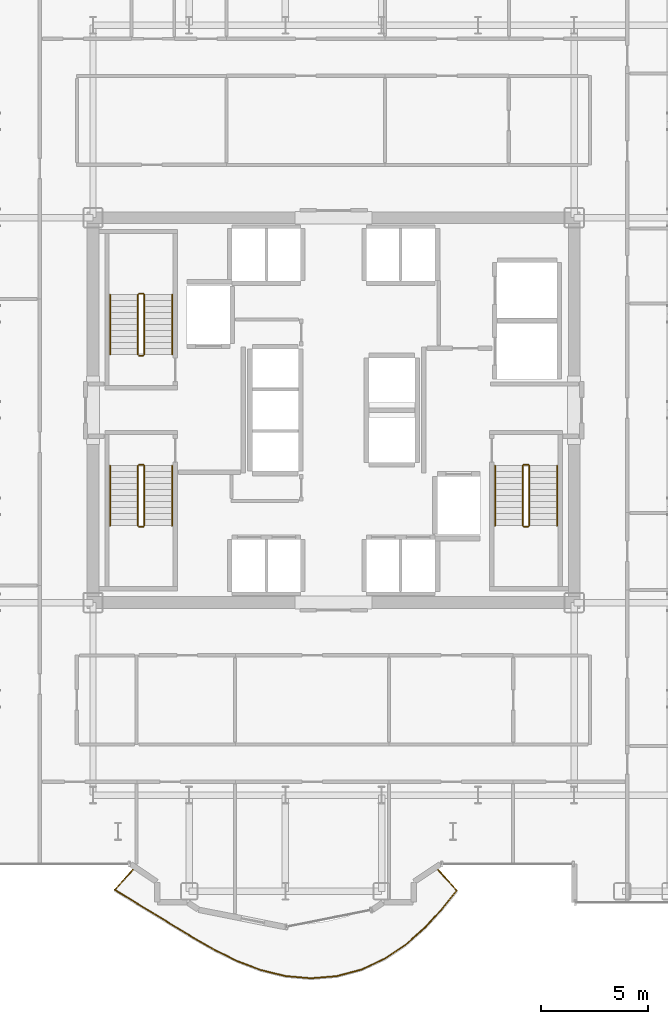
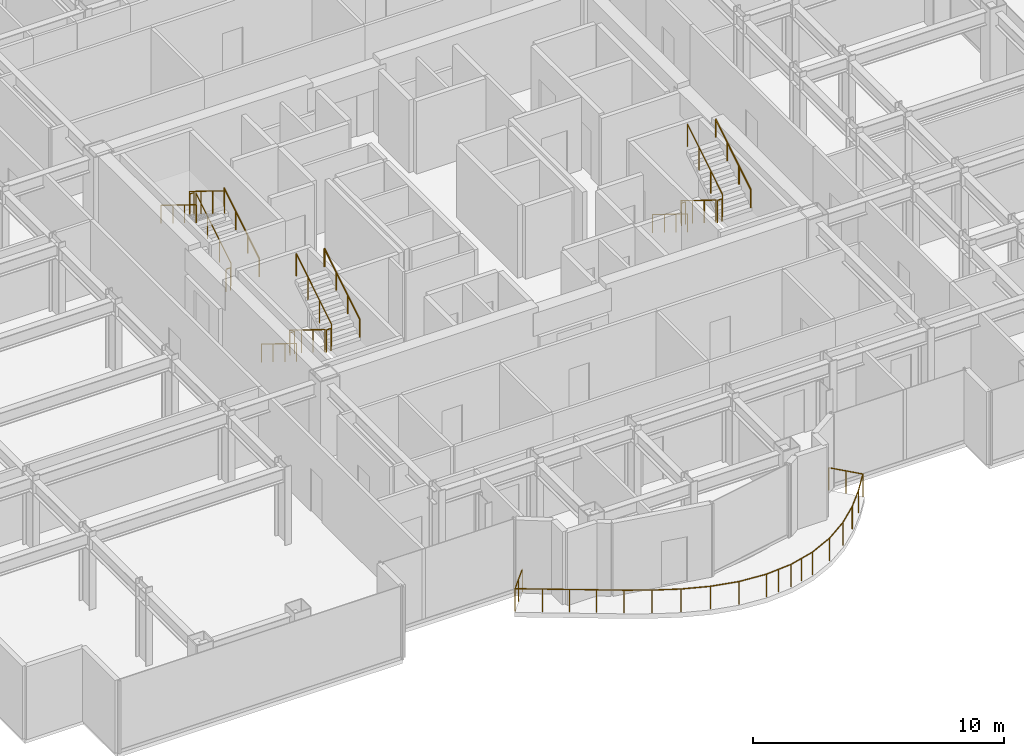
# One storey, part 26 of 27: 19 railings.
"""IFC4 building model written with IfcOpenShell, lengths in metres."""

from ifc_helpers import new_model, si_unit, direction, frame, origin, origin_2d, place, context, subcontext, project, spatial, circle, extrude, material, type_object, element, save


model = new_model("IFC4")

# Units and contexts
model_context = context("Model", 3, precision=1e-05, world=origin(), true_north=direction((0.0, 1.0)))
body_context = subcontext(model_context, "Body", "Model", "MODEL_VIEW")
ifc_project = project(units=[si_unit("LENGTHUNIT", "METRE"), si_unit("AREAUNIT", "SQUARE_METRE"), si_unit("VOLUMEUNIT", "CUBIC_METRE"), si_unit("PLANEANGLEUNIT", "RADIAN"), si_unit("MASSUNIT", "GRAM", prefix="KILO")], contexts=[model_context])

# Site, building, storey
site_placement = place(None, origin())
site = spatial("IfcSite", under=ifc_project, at=site_placement, CompositionType="ELEMENT")
building_placement = place(site_placement, origin())
building = spatial("IfcBuilding", under=site, at=building_placement, Name="Nefas-Gora Pilgrimage Tower", CompositionType="ELEMENT")
storey_placement = place(building_placement, frame((0.0, 0.0, 148.800048828125)))
storey = spatial("IfcBuildingStorey", under=building, at=storey_placement, Name="L36", CompositionType="ELEMENT", Elevation=148.800048828125)

# Railings
ifc_material_1 = material(Name="Laminated safety glass and stainless steel", Category="steel")
railing_type_1 = type_object("IfcRailingType", Name="RLG-BAL-1100", PredefinedType="BALUSTRADE", material=ifc_material_1)
railing_1_placement = place(storey_placement, frame((-9.302490234375, -21.402587890625, 0.0)))
element("IfcRailing", 1, at=railing_1_placement, inside=storey, type_object=railing_type_1, Name="L36 Wave Balcony Balustrade S2", PredefinedType="BALUSTRADE", context=body_context, shape_type="SweptSolid", body=[
    extrude(circle(Radius=0.02392578125, at=origin_2d()), frame((0.0, 0.0, 1.09619140625), z_axis=(-0.669217868333, -0.743066245165, 0.0), x_axis=(0.743066245165, -0.669217868333, 0.0)), (0.0, 0.0, 1.0), 1.38525390625),
    extrude(circle(Radius=0.02392578125, at=origin_2d()), frame((-0.927001953125, -1.029296875, 1.09619140625), z_axis=(0.852658885571, -0.522468013238, 0.0), x_axis=(0.522468013238, 0.852658885571, 0.0)), (0.0, 0.0, 1.0), 1.095703125),
    extrude(circle(Radius=0.02392578125, at=origin_2d()), frame((0.00732421875, -1.601806640625, 1.09619140625), z_axis=(0.855124780813, -0.518422230657, 0.0), x_axis=(0.518422230657, 0.855124780813, 0.0)), (0.0, 0.0, 1.0), 1.077392578125),
    extrude(circle(Radius=0.02392578125, at=origin_2d()), frame((0.9287109375, -2.160400390625, 1.09619140625), z_axis=(0.852777131159, -0.522274989418, 0.0), x_axis=(0.522274989418, 0.852777131159, 0.0)), (0.0, 0.0, 1.0), 1.076904296875),
    extrude(circle(Radius=0.02392578125, at=origin_2d()), frame((1.84716796875, -2.722900390625, 1.09619140625), z_axis=(0.854684994475, -0.519146954358, 0.0), x_axis=(0.519146954358, 0.854684994475, 0.0)), (0.0, 0.0, 1.0), 1.09423828125),
    extrude(circle(Radius=0.02392578125, at=origin_2d()), frame((2.782470703125, -3.291015625, 1.09619140625), z_axis=(0.868857666147, -0.495061971856, 0.0), x_axis=(0.495061971856, 0.868857666147, 0.0)), (0.0, 0.0, 1.0), 1.123291015625),
    extrude(circle(Radius=0.02392578125, at=origin_2d()), frame((3.758544921875, -3.84716796875, 1.09619140625), z_axis=(0.896659173932, -0.442721499142, 0.0), x_axis=(0.442721499142, 0.896659173932, 0.0)), (0.0, 0.0, 1.0), 1.153564453125),
    extrude(circle(Radius=0.02392578125, at=origin_2d()), frame((4.79296875, -4.35791015625, 1.09619140625), z_axis=(0.934122957215, -0.356951398377, 0.0), x_axis=(0.356951398377, 0.934122957215, 0.0)), (0.0, 0.0, 1.0), 1.178466796875),
    extrude(circle(Radius=0.02392578125, at=origin_2d()), frame((5.893798828125, -4.778564453125, 1.09619140625), z_axis=(0.97145249085, -0.237234183922, 0.0), x_axis=(0.237234183922, 0.97145249085, 0.0)), (0.0, 0.0, 1.0), 1.192626953125),
    extrude(circle(Radius=0.02392578125, at=origin_2d()), frame((7.052490234375, -5.0615234375, 1.09619140625), z_axis=(0.99619460159, -0.087156845765, 0.0), x_axis=(0.087156845765, 0.99619460159, 0.0)), (0.0, 0.0, 1.0), 1.198974609375),
    extrude(circle(Radius=0.02392578125, at=origin_2d()), frame((8.246826171875, -5.166015625, 1.09619140625), z_axis=(0.996586307441, 0.082557445587, 0.0), x_axis=(-0.082557445587, 0.996586307441, 0.0)), (0.0, 0.0, 1.0), 1.20068359375),
    extrude(circle(Radius=0.02392578125, at=origin_2d()), frame((9.443359375, -5.06689453125, 1.09619140625), z_axis=(0.966180913081, 0.257865164763, 0.0), x_axis=(-0.257865164763, 0.966180913081, 0.0)), (0.0, 0.0, 1.0), 1.200439453125),
    extrude(circle(Radius=0.02392578125, at=origin_2d()), frame((10.603271484375, -4.75732421875, 1.09619140625), z_axis=(0.907111664378, 0.420890043063, 0.0), x_axis=(-0.420890043063, 0.907111664378, 0.0)), (0.0, 0.0, 1.0), 1.199462890625),
    extrude(circle(Radius=0.02392578125, at=origin_2d()), frame((11.69140625, -4.25244140625, 1.09619140625), z_axis=(0.829780590571, 0.558089752201, 0.0), x_axis=(-0.558089752201, 0.829780590571, 0.0)), (0.0, 0.0, 1.0), 1.195068359375),
    extrude(circle(Radius=0.02392578125, at=origin_2d()), frame((12.68310546875, -3.58544921875, 1.09619140625), z_axis=(0.748330645695, 0.663325896308, 0.0), x_axis=(-0.663325896308, 0.748330645695, 0.0)), (0.0, 0.0, 1.0), 1.183349609375),
    extrude(circle(Radius=0.02392578125, at=origin_2d()), frame((13.568603515625, -2.800537109375, 1.09619140625), z_axis=(0.676400344051, 0.736534163883, 0.0), x_axis=(-0.736534163883, 0.676400344051, 0.0)), (0.0, 0.0, 1.0), 1.1611328125),
    extrude(circle(Radius=0.02392578125, at=origin_2d()), frame((14.35400390625, -1.9453125, 1.09619140625), z_axis=(0.624326656169, 0.781163380092, 0.0), x_axis=(-0.781163380092, 0.624326656169, 0.0)), (0.0, 0.0, 1.0), 1.131591796875),
    extrude(circle(Radius=0.02392578125, at=origin_2d()), frame((15.060546875, -1.061279296875, 1.09619140625), z_axis=(-0.669125283262, 0.743149618381, 0.0), x_axis=(-0.743149618381, -0.669125283262, 0.0)), (0.0, 0.0, 1.0), 1.427978515625),
    extrude(circle(Radius=0.02099609375, at=origin_2d()), origin(), (0.0, 0.0, 1.0), 1.072021484375),
    extrude(circle(Radius=0.02099609375, at=origin_2d()), frame((-0.46337890625, -0.5146484375, 0.0)), (0.0, 0.0, 1.0), 1.072021484375),
    extrude(circle(Radius=0.02099609375, at=origin_2d()), frame((-0.927001953125, -1.029296875, 0.0)), (0.0, 0.0, 1.0), 1.072021484375),
    extrude(circle(Radius=0.02099609375, at=origin_2d()), frame((0.00732421875, -1.601806640625, 0.0)), (0.0, 0.0, 1.0), 1.072021484375),
    extrude(circle(Radius=0.02099609375, at=origin_2d()), frame((0.9287109375, -2.160400390625, 0.0)), (0.0, 0.0, 1.0), 1.072021484375),
    extrude(circle(Radius=0.02099609375, at=origin_2d()), frame((1.84716796875, -2.722900390625, 0.0)), (0.0, 0.0, 1.0), 1.072021484375),
    extrude(circle(Radius=0.02099609375, at=origin_2d()), frame((2.782470703125, -3.291015625, 0.0)), (0.0, 0.0, 1.0), 1.072021484375),
    extrude(circle(Radius=0.02099609375, at=origin_2d()), frame((3.758544921875, -3.84716796875, 0.0)), (0.0, 0.0, 1.0), 1.072021484375),
    extrude(circle(Radius=0.02099609375, at=origin_2d()), frame((4.79296875, -4.35791015625, 0.0)), (0.0, 0.0, 1.0), 1.072021484375),
    extrude(circle(Radius=0.02099609375, at=origin_2d()), frame((5.893798828125, -4.778564453125, 0.0)), (0.0, 0.0, 1.0), 1.072021484375),
    extrude(circle(Radius=0.02099609375, at=origin_2d()), frame((7.052490234375, -5.0615234375, 0.0)), (0.0, 0.0, 1.0), 1.072021484375),
    extrude(circle(Radius=0.02099609375, at=origin_2d()), frame((8.246826171875, -5.166015625, 0.0)), (0.0, 0.0, 1.0), 1.072021484375),
    extrude(circle(Radius=0.02099609375, at=origin_2d()), frame((8.84521484375, -5.116455078125, 0.0)), (0.0, 0.0, 1.0), 1.072021484375),
    extrude(circle(Radius=0.02099609375, at=origin_2d()), frame((9.443359375, -5.06689453125, 0.0)), (0.0, 0.0, 1.0), 1.072021484375),
    extrude(circle(Radius=0.02099609375, at=origin_2d()), frame((10.0234375, -4.912109375, 0.0)), (0.0, 0.0, 1.0), 1.072021484375),
    extrude(circle(Radius=0.02099609375, at=origin_2d()), frame((10.603271484375, -4.75732421875, 0.0)), (0.0, 0.0, 1.0), 1.072021484375),
    extrude(circle(Radius=0.02099609375, at=origin_2d()), frame((11.69140625, -4.25244140625, 0.0)), (0.0, 0.0, 1.0), 1.072021484375),
    extrude(circle(Radius=0.02099609375, at=origin_2d()), frame((12.68310546875, -3.58544921875, 0.0)), (0.0, 0.0, 1.0), 1.072021484375),
    extrude(circle(Radius=0.02099609375, at=origin_2d()), frame((13.568603515625, -2.800537109375, 0.0)), (0.0, 0.0, 1.0), 1.072021484375),
    extrude(circle(Radius=0.02099609375, at=origin_2d()), frame((14.35400390625, -1.9453125, 0.0)), (0.0, 0.0, 1.0), 1.072021484375),
    extrude(circle(Radius=0.02099609375, at=origin_2d()), frame((15.060546875, -1.061279296875, 0.0)), (0.0, 0.0, 1.0), 1.072021484375),
    extrude(circle(Radius=0.02099609375, at=origin_2d()), frame((14.582763671875, -0.53076171875, 0.0)), (0.0, 0.0, 1.0), 1.072021484375),
    extrude(circle(Radius=0.02099609375, at=origin_2d()), frame((14.10498046875, 0.0, 0.0)), (0.0, 0.0, 1.0), 1.072021484375),
])
ifc_material_2 = material(Name="Painted galvanised steel", Category="steel")
railing_type_2 = type_object("IfcRailingType", Name="RLG-STR-GUARD-1100", PredefinedType="GUARDRAIL", material=ifc_material_2)
railing_2_placement = place(storey_placement, frame((-8.85009765625, 2.60009765625, 0.172607421875)))
element("IfcRailing", 2, at=railing_2_placement, inside=storey, type_object=railing_type_2, Name="L36 ST-01 stair guard 1", PredefinedType="GUARDRAIL", context=body_context, shape_type="SweptSolid", body=[
    extrude(circle(Radius=0.02392578125, at=origin_2d()), frame((0.0, 0.0, 1.09619140625), z_axis=(0.0, 0.851069175582, 0.525053576669), x_axis=(-1.0, 0.0, 0.0)), (0.0, 0.0, 1.0), 3.289794921875),
    extrude(circle(Radius=0.02099609375, at=origin_2d()), origin(), (0.0, 0.0, 1.0), 1.072021484375),
    extrude(circle(Radius=0.02099609375, at=origin_2d()), frame((0.0, 0.933349609375, 0.57568359375)), (0.0, 0.0, 1.0), 1.072021484375),
    extrude(circle(Radius=0.02099609375, at=origin_2d()), frame((0.0, 1.866455078125, 1.151611328125)), (0.0, 0.0, 1.0), 1.072021484375),
    extrude(circle(Radius=0.02099609375, at=origin_2d()), frame((0.0, 2.7998046875, 1.727294921875)), (0.0, 0.0, 1.0), 1.072021484375),
])
railing_3_placement = place(storey_placement, frame((-8.89990234375, 5.449951171875, 1.89990234375)))
element("IfcRailing", 3, at=railing_3_placement, inside=storey, type_object=railing_type_2, Name="L36 ST-01 stair guard 2", PredefinedType="GUARDRAIL", context=body_context, shape_type="SweptSolid", body=[
    extrude(circle(Radius=0.02392578125, at=origin_2d()), frame((0.0, 0.0, 1.09619140625), z_axis=(-1.0, 0.0, 0.0), x_axis=(0.0, -1.0, 0.0)), (0.0, 0.0, 1.0), 0.2001953125),
    extrude(circle(Radius=0.02099609375, at=origin_2d()), origin(), (0.0, 0.0, 1.0), 1.072021484375),
    extrude(circle(Radius=0.02099609375, at=origin_2d()), frame((-0.2001953125, 0.0, 0.0)), (0.0, 0.0, 1.0), 1.072021484375),
])
railing_4_placement = place(storey_placement, frame((-9.14990234375, 5.39990234375, 2.07275390625)))
element("IfcRailing", 4, at=railing_4_placement, inside=storey, type_object=railing_type_2, Name="L36 ST-01 stair guard 3", PredefinedType="GUARDRAIL", context=body_context, shape_type="SweptSolid", body=[
    extrude(circle(Radius=0.02392578125, at=origin_2d()), frame((0.0, 0.0, 1.09619140625), z_axis=(0.0, -0.851069175582, 0.525053576669), x_axis=(1.0, 0.0, 0.0)), (0.0, 0.0, 1.0), 3.289794921875),
    extrude(circle(Radius=0.02099609375, at=origin_2d()), origin(), (0.0, 0.0, 1.0), 1.072021484375),
    extrude(circle(Radius=0.02099609375, at=origin_2d()), frame((0.0, -0.933349609375, 0.57568359375)), (0.0, 0.0, 1.0), 1.072021484375),
    extrude(circle(Radius=0.02099609375, at=origin_2d()), frame((0.0, -1.866455078125, 1.151611328125)), (0.0, 0.0, 1.0), 1.072021484375),
    extrude(circle(Radius=0.02099609375, at=origin_2d()), frame((0.0, -2.7998046875, 1.727294921875)), (0.0, 0.0, 1.0), 1.072021484375),
])
railing_5_placement = place(storey_placement, frame((-8.89990234375, 2.550048828125, 0.0)))
element("IfcRailing", 5, at=railing_5_placement, inside=storey, type_object=railing_type_2, Name="L36 ST-01 stair guard 4", PredefinedType="GUARDRAIL", context=body_context, shape_type="SweptSolid", body=[
    extrude(circle(Radius=0.02392578125, at=origin_2d()), frame((0.0, 0.0, 1.09619140625), z_axis=(-1.0, 0.0, 0.0), x_axis=(0.0, -1.0, 0.0)), (0.0, 0.0, 1.0), 0.2001953125),
    extrude(circle(Radius=0.02099609375, at=origin_2d()), origin(), (0.0, 0.0, 1.0), 1.072021484375),
    extrude(circle(Radius=0.02099609375, at=origin_2d()), frame((-0.2001953125, 0.0, 0.0)), (0.0, 0.0, 1.0), 1.072021484375),
])
railing_6_placement = place(storey_placement, frame((8.85009765625, -2.60009765625, 0.172607421875)))
element("IfcRailing", 6, at=railing_6_placement, inside=storey, type_object=railing_type_2, Name="L36 ST-02 stair guard 1", PredefinedType="GUARDRAIL", context=body_context, shape_type="SweptSolid", body=[
    extrude(circle(Radius=0.02392578125, at=origin_2d()), frame((0.0, 0.0, 1.09619140625), z_axis=(0.0, -0.851069175582, 0.525053576669), x_axis=(1.0, 0.0, 0.0)), (0.0, 0.0, 1.0), 3.289794921875),
    extrude(circle(Radius=0.02099609375, at=origin_2d()), origin(), (0.0, 0.0, 1.0), 1.072021484375),
    extrude(circle(Radius=0.02099609375, at=origin_2d()), frame((0.0, -0.933349609375, 0.57568359375)), (0.0, 0.0, 1.0), 1.072021484375),
    extrude(circle(Radius=0.02099609375, at=origin_2d()), frame((0.0, -1.866455078125, 1.151611328125)), (0.0, 0.0, 1.0), 1.072021484375),
    extrude(circle(Radius=0.02099609375, at=origin_2d()), frame((0.0, -2.7998046875, 1.727294921875)), (0.0, 0.0, 1.0), 1.072021484375),
])
railing_7_placement = place(storey_placement, frame((8.89990234375, -5.449951171875, 1.89990234375)))
element("IfcRailing", 7, at=railing_7_placement, inside=storey, type_object=railing_type_2, Name="L36 ST-02 stair guard 2", PredefinedType="GUARDRAIL", context=body_context, shape_type="SweptSolid", body=[
    extrude(circle(Radius=0.02392578125, at=origin_2d()), frame((0.0, 0.0, 1.09619140625), z_axis=(1.0, 0.0, 0.0), x_axis=(0.0, 1.0, 0.0)), (0.0, 0.0, 1.0), 0.2001953125),
    extrude(circle(Radius=0.02099609375, at=origin_2d()), origin(), (0.0, 0.0, 1.0), 1.072021484375),
    extrude(circle(Radius=0.02099609375, at=origin_2d()), frame((0.2001953125, 0.0, 0.0)), (0.0, 0.0, 1.0), 1.072021484375),
])
railing_8_placement = place(storey_placement, frame((9.14990234375, -5.39990234375, 2.07275390625)))
element("IfcRailing", 8, at=railing_8_placement, inside=storey, type_object=railing_type_2, Name="L36 ST-02 stair guard 3", PredefinedType="GUARDRAIL", context=body_context, shape_type="SweptSolid", body=[
    extrude(circle(Radius=0.02392578125, at=origin_2d()), frame((0.0, 0.0, 1.09619140625), z_axis=(0.0, 0.851069175582, 0.525053576669), x_axis=(-1.0, 0.0, 0.0)), (0.0, 0.0, 1.0), 3.289794921875),
    extrude(circle(Radius=0.02099609375, at=origin_2d()), origin(), (0.0, 0.0, 1.0), 1.072021484375),
    extrude(circle(Radius=0.02099609375, at=origin_2d()), frame((0.0, 0.933349609375, 0.57568359375)), (0.0, 0.0, 1.0), 1.072021484375),
    extrude(circle(Radius=0.02099609375, at=origin_2d()), frame((0.0, 1.866455078125, 1.151611328125)), (0.0, 0.0, 1.0), 1.072021484375),
    extrude(circle(Radius=0.02099609375, at=origin_2d()), frame((0.0, 2.7998046875, 1.727294921875)), (0.0, 0.0, 1.0), 1.072021484375),
])
railing_9_placement = place(storey_placement, frame((8.89990234375, -2.550048828125, 0.0)))
element("IfcRailing", 9, at=railing_9_placement, inside=storey, type_object=railing_type_2, Name="L36 ST-02 stair guard 4", PredefinedType="GUARDRAIL", context=body_context, shape_type="SweptSolid", body=[
    extrude(circle(Radius=0.02392578125, at=origin_2d()), frame((0.0, 0.0, 1.09619140625), z_axis=(1.0, 0.0, 0.0), x_axis=(0.0, 1.0, 0.0)), (0.0, 0.0, 1.0), 0.2001953125),
    extrude(circle(Radius=0.02099609375, at=origin_2d()), origin(), (0.0, 0.0, 1.0), 1.072021484375),
    extrude(circle(Radius=0.02099609375, at=origin_2d()), frame((0.2001953125, 0.0, 0.0)), (0.0, 0.0, 1.0), 1.072021484375),
])
railing_10_placement = place(storey_placement, frame((-9.14990234375, -2.60009765625, 0.172607421875)))
element("IfcRailing", 10, at=railing_10_placement, inside=storey, type_object=railing_type_2, Name="L36 ST-03 stair guard 1", PredefinedType="GUARDRAIL", context=body_context, shape_type="SweptSolid", body=[
    extrude(circle(Radius=0.02392578125, at=origin_2d()), frame((0.0, 0.0, 1.09619140625), z_axis=(0.0, -0.851069175582, 0.525053576669), x_axis=(1.0, 0.0, 0.0)), (0.0, 0.0, 1.0), 3.289794921875),
    extrude(circle(Radius=0.02099609375, at=origin_2d()), origin(), (0.0, 0.0, 1.0), 1.072021484375),
    extrude(circle(Radius=0.02099609375, at=origin_2d()), frame((0.0, -0.933349609375, 0.57568359375)), (0.0, 0.0, 1.0), 1.072021484375),
    extrude(circle(Radius=0.02099609375, at=origin_2d()), frame((0.0, -1.866455078125, 1.151611328125)), (0.0, 0.0, 1.0), 1.072021484375),
    extrude(circle(Radius=0.02099609375, at=origin_2d()), frame((0.0, -2.7998046875, 1.727294921875)), (0.0, 0.0, 1.0), 1.072021484375),
])
railing_11_placement = place(storey_placement, frame((-9.10009765625, -5.449951171875, 1.89990234375)))
element("IfcRailing", 11, at=railing_11_placement, inside=storey, type_object=railing_type_2, Name="L36 ST-03 stair guard 2", PredefinedType="GUARDRAIL", context=body_context, shape_type="SweptSolid", body=[
    extrude(circle(Radius=0.02392578125, at=origin_2d()), frame((0.0, 0.0, 1.09619140625), z_axis=(1.0, 0.0, 0.0), x_axis=(0.0, 1.0, 0.0)), (0.0, 0.0, 1.0), 0.2001953125),
    extrude(circle(Radius=0.02099609375, at=origin_2d()), origin(), (0.0, 0.0, 1.0), 1.072021484375),
    extrude(circle(Radius=0.02099609375, at=origin_2d()), frame((0.2001953125, 0.0, 0.0)), (0.0, 0.0, 1.0), 1.072021484375),
])
railing_12_placement = place(storey_placement, frame((-8.85009765625, -5.39990234375, 2.07275390625)))
element("IfcRailing", 12, at=railing_12_placement, inside=storey, type_object=railing_type_2, Name="L36 ST-03 stair guard 3", PredefinedType="GUARDRAIL", context=body_context, shape_type="SweptSolid", body=[
    extrude(circle(Radius=0.02392578125, at=origin_2d()), frame((0.0, 0.0, 1.09619140625), z_axis=(0.0, 0.851069175582, 0.525053576669), x_axis=(-1.0, 0.0, 0.0)), (0.0, 0.0, 1.0), 3.289794921875),
    extrude(circle(Radius=0.02099609375, at=origin_2d()), origin(), (0.0, 0.0, 1.0), 1.072021484375),
    extrude(circle(Radius=0.02099609375, at=origin_2d()), frame((0.0, 0.933349609375, 0.57568359375)), (0.0, 0.0, 1.0), 1.072021484375),
    extrude(circle(Radius=0.02099609375, at=origin_2d()), frame((0.0, 1.866455078125, 1.151611328125)), (0.0, 0.0, 1.0), 1.072021484375),
    extrude(circle(Radius=0.02099609375, at=origin_2d()), frame((0.0, 2.7998046875, 1.727294921875)), (0.0, 0.0, 1.0), 1.072021484375),
])
railing_13_placement = place(storey_placement, frame((-9.10009765625, -2.550048828125, 0.0)))
element("IfcRailing", 13, at=railing_13_placement, inside=storey, type_object=railing_type_2, Name="L36 ST-03 stair guard 4", PredefinedType="GUARDRAIL", context=body_context, shape_type="SweptSolid", body=[
    extrude(circle(Radius=0.02392578125, at=origin_2d()), frame((0.0, 0.0, 1.09619140625), z_axis=(1.0, 0.0, 0.0), x_axis=(0.0, 1.0, 0.0)), (0.0, 0.0, 1.0), 0.2001953125),
    extrude(circle(Radius=0.02099609375, at=origin_2d()), origin(), (0.0, 0.0, 1.0), 1.072021484375),
    extrude(circle(Radius=0.02099609375, at=origin_2d()), frame((0.2001953125, 0.0, 0.0)), (0.0, 0.0, 1.0), 1.072021484375),
])
ifc_material_3 = material(Name="Brushed stainless steel", Category="steel")
railing_type_3 = type_object("IfcRailingType", Name="RLG-STR-HAND-900", PredefinedType="HANDRAIL", material=ifc_material_3)
railing_14_placement = place(storey_placement, frame((-7.550048828125, 2.60009765625, 0.172607421875)))
element("IfcRailing", 14, at=railing_14_placement, inside=storey, type_object=railing_type_3, Name="L36 ST-01 stair handrail 1", PredefinedType="HANDRAIL", context=body_context, shape_type="SweptSolid", body=[
    extrude(circle(Radius=0.02392578125, at=origin_2d()), frame((0.0, 0.0, 0.8759765625), z_axis=(0.0, 0.851069175582, 0.525053576669), x_axis=(-1.0, 0.0, 0.0)), (0.0, 0.0, 1.0), 3.289794921875),
    extrude(circle(Radius=0.02099609375, at=origin_2d()), origin(), (0.0, 0.0, 1.0), 0.851806640625),
    extrude(circle(Radius=0.02099609375, at=origin_2d()), frame((0.0, 0.933349609375, 0.57568359375)), (0.0, 0.0, 1.0), 0.851806640625),
    extrude(circle(Radius=0.02099609375, at=origin_2d()), frame((0.0, 1.866455078125, 1.151611328125)), (0.0, 0.0, 1.0), 0.851806640625),
    extrude(circle(Radius=0.02099609375, at=origin_2d()), frame((0.0, 2.7998046875, 1.727294921875)), (0.0, 0.0, 1.0), 0.851806640625),
])
for number, where, name in (
    (15, (-10.449951171875, 5.39990234375, 2.07275390625), "L36 ST-01 stair handrail 2"),
    (16, (7.550048828125, -2.60009765625, 0.172607421875), "L36 ST-02 stair handrail 1"),
):
    element("IfcRailing", number, at=place(storey_placement, frame(where)), inside=storey, type_object=railing_type_3, Name=name, PredefinedType="HANDRAIL", context=body_context, shape_type="SweptSolid", body=[
        extrude(circle(Radius=0.02392578125, at=origin_2d()), frame((0.0, 0.0, 0.8759765625), z_axis=(0.0, -0.851069175582, 0.525053576669), x_axis=(1.0, 0.0, 0.0)), (0.0, 0.0, 1.0), 3.289794921875),
        extrude(circle(Radius=0.02099609375, at=origin_2d()), origin(), (0.0, 0.0, 1.0), 0.851806640625),
        extrude(circle(Radius=0.02099609375, at=origin_2d()), frame((0.0, -0.933349609375, 0.57568359375)), (0.0, 0.0, 1.0), 0.851806640625),
        extrude(circle(Radius=0.02099609375, at=origin_2d()), frame((0.0, -1.866455078125, 1.151611328125)), (0.0, 0.0, 1.0), 0.851806640625),
        extrude(circle(Radius=0.02099609375, at=origin_2d()), frame((0.0, -2.7998046875, 1.727294921875)), (0.0, 0.0, 1.0), 0.851806640625),
    ])
railing_15_placement = place(storey_placement, frame((10.449951171875, -5.39990234375, 2.07275390625)))
element("IfcRailing", 17, at=railing_15_placement, inside=storey, type_object=railing_type_3, Name="L36 ST-02 stair handrail 2", PredefinedType="HANDRAIL", context=body_context, shape_type="SweptSolid", body=[
    extrude(circle(Radius=0.02392578125, at=origin_2d()), frame((0.0, 0.0, 0.8759765625), z_axis=(0.0, 0.851069175582, 0.525053576669), x_axis=(-1.0, 0.0, 0.0)), (0.0, 0.0, 1.0), 3.289794921875),
    extrude(circle(Radius=0.02099609375, at=origin_2d()), origin(), (0.0, 0.0, 1.0), 0.851806640625),
    extrude(circle(Radius=0.02099609375, at=origin_2d()), frame((0.0, 0.933349609375, 0.57568359375)), (0.0, 0.0, 1.0), 0.851806640625),
    extrude(circle(Radius=0.02099609375, at=origin_2d()), frame((0.0, 1.866455078125, 1.151611328125)), (0.0, 0.0, 1.0), 0.851806640625),
    extrude(circle(Radius=0.02099609375, at=origin_2d()), frame((0.0, 2.7998046875, 1.727294921875)), (0.0, 0.0, 1.0), 0.851806640625),
])
railing_16_placement = place(storey_placement, frame((-10.449951171875, -2.60009765625, 0.172607421875)))
element("IfcRailing", 18, at=railing_16_placement, inside=storey, type_object=railing_type_3, Name="L36 ST-03 stair handrail 1", PredefinedType="HANDRAIL", context=body_context, shape_type="SweptSolid", body=[
    extrude(circle(Radius=0.02392578125, at=origin_2d()), frame((0.0, 0.0, 0.8759765625), z_axis=(0.0, -0.851069175582, 0.525053576669), x_axis=(1.0, 0.0, 0.0)), (0.0, 0.0, 1.0), 3.289794921875),
    extrude(circle(Radius=0.02099609375, at=origin_2d()), origin(), (0.0, 0.0, 1.0), 0.851806640625),
    extrude(circle(Radius=0.02099609375, at=origin_2d()), frame((0.0, -0.933349609375, 0.57568359375)), (0.0, 0.0, 1.0), 0.851806640625),
    extrude(circle(Radius=0.02099609375, at=origin_2d()), frame((0.0, -1.866455078125, 1.151611328125)), (0.0, 0.0, 1.0), 0.851806640625),
    extrude(circle(Radius=0.02099609375, at=origin_2d()), frame((0.0, -2.7998046875, 1.727294921875)), (0.0, 0.0, 1.0), 0.851806640625),
])
railing_17_placement = place(storey_placement, frame((-7.550048828125, -5.39990234375, 2.07275390625)))
element("IfcRailing", 19, at=railing_17_placement, inside=storey, type_object=railing_type_3, Name="L36 ST-03 stair handrail 2", PredefinedType="HANDRAIL", context=body_context, shape_type="SweptSolid", body=[
    extrude(circle(Radius=0.02392578125, at=origin_2d()), frame((0.0, 0.0, 0.8759765625), z_axis=(0.0, 0.851069175582, 0.525053576669), x_axis=(-1.0, 0.0, 0.0)), (0.0, 0.0, 1.0), 3.289794921875),
    extrude(circle(Radius=0.02099609375, at=origin_2d()), origin(), (0.0, 0.0, 1.0), 0.851806640625),
    extrude(circle(Radius=0.02099609375, at=origin_2d()), frame((0.0, 0.933349609375, 0.57568359375)), (0.0, 0.0, 1.0), 0.851806640625),
    extrude(circle(Radius=0.02099609375, at=origin_2d()), frame((0.0, 1.866455078125, 1.151611328125)), (0.0, 0.0, 1.0), 0.851806640625),
    extrude(circle(Radius=0.02099609375, at=origin_2d()), frame((0.0, 2.7998046875, 1.727294921875)), (0.0, 0.0, 1.0), 0.851806640625),
])

save(model, "model.ifc")
